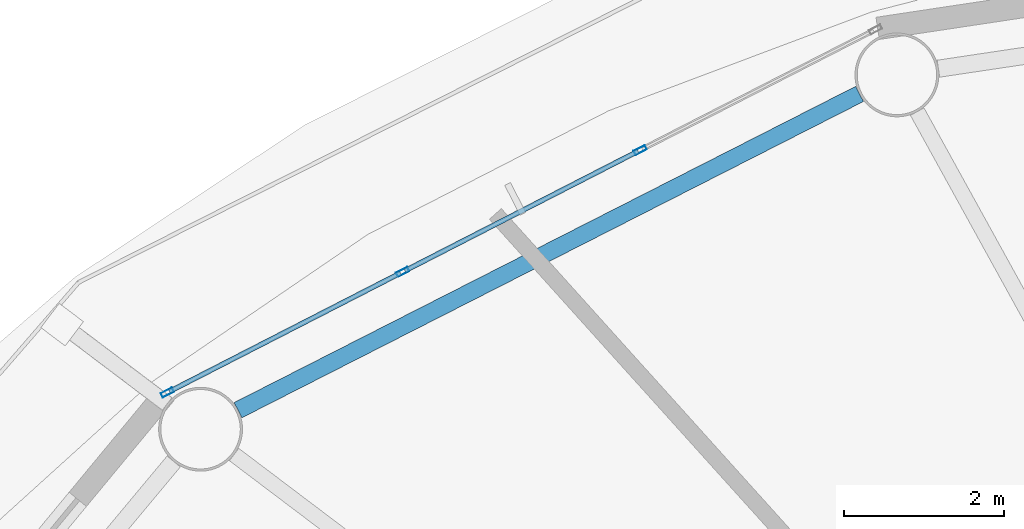
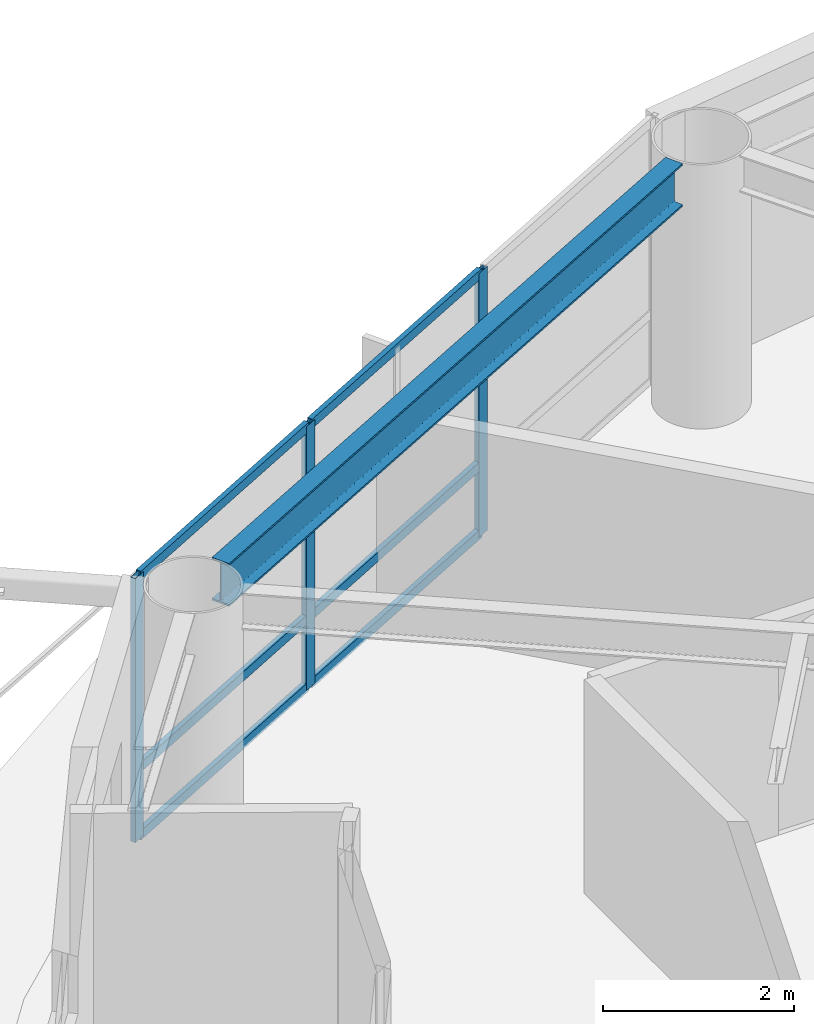
# One storey, part 11 of 30: 9 members, 1 beam, 1 element without a shape of its own.
"""IFC4 building model written with IfcOpenShell, lengths in metres."""

from ifc_helpers import new_model, si_unit, direction, frame, origin, origin_2d, place, context, subcontext, project, spatial, hollow_rectangle, i_section, extrude, material, layer, layer_set, material_profile, profile_set, type_object, element, aggregate, save


model = new_model("IFC4")

# Units and contexts
model_context = context("Model", 3, precision=1e-05, world=origin(), true_north=direction((0.0, 1.0)))
body_context = subcontext(model_context, "Body", "Model", "MODEL_VIEW")
ifc_project = project(units=[si_unit("LENGTHUNIT", "METRE"), si_unit("AREAUNIT", "SQUARE_METRE"), si_unit("VOLUMEUNIT", "CUBIC_METRE"), si_unit("PLANEANGLEUNIT", "RADIAN"), si_unit("MASSUNIT", "GRAM", prefix="KILO")], contexts=[model_context])

# Site, building, storey
site_placement = place(None, origin())
site = spatial("IfcSite", under=ifc_project, at=site_placement, CompositionType="ELEMENT")
building_placement = place(site_placement, origin())
building = spatial("IfcBuilding", under=site, at=building_placement, Name="Sarneth Arch Tower", CompositionType="ELEMENT")
storey_placement = place(building_placement, frame((0.0, 0.0, 161.39990234375)))
storey = spatial("IfcBuildingStorey", under=building, at=storey_placement, Name="L40", CompositionType="ELEMENT", Elevation=161.39990234375)

# Beam
ifc_material_1 = material(Name="Steel S355", Category="steel")
ifc_material_profile_1 = material_profile(ifc_material_1, i_section(OverallWidth=0.214111328125, OverallDepth=0.549072265625, WebThickness=0.0146484375, FlangeThickness=0.023681640625, FilletRadius=0.01806640625, at=origin_2d()), Name="W530x138")
ifc_profile_set_1 = profile_set([ifc_material_profile_1], Name="Steel S355")
beam_type = type_object("IfcBeamType", Name="BM-RAD-530A", PredefinedType="BEAM", material=ifc_profile_set_1)
beam_placement = place(storey_placement, frame((37.1103515625, 60.6552734375, 3.105712890625), z_axis=(-0.891254220899, -0.453504039374, 0.0), x_axis=(0.453504039374, -0.891254220899, 0.0)))
element("IfcBeam", 1, at=beam_placement, inside=storey, type_object=beam_type, Name="L40 Perimeter spandrel beam 06", PredefinedType="BEAM", context=body_context, shape_type="SweptSolid", body=[
    extrude(i_section(OverallWidth=0.214111328125, OverallDepth=0.549072265625, WebThickness=0.0146484375, FlangeThickness=0.023681640625, FilletRadius=0.01806640625, at=origin_2d()), origin(), (0.0, 0.0, 1.0), 8.724853515625),
])

# Curtain wall, members
ifc_material_2 = material(Name="Anodised aluminium Type AA25 and solar-control low-e laminated IGU", Category="aluminium")
ifc_layer = layer(ifc_material_2, 0.169921875)
ifc_layer_set = layer_set([ifc_layer], Name="Anodised aluminium Type AA25 and solar-control low-e laminated IGU")
curtain_wall_type = type_object("IfcCurtainWallType", Name="CW-RES-MID", PredefinedType="NOTDEFINED", material=ifc_layer_set)
curtain_wall_placement = place(storey_placement, origin())
curtain_wall = element("IfcCurtainWall", 2, at=curtain_wall_placement, inside=storey, type_object=curtain_wall_type, Name="L40 Unitised curtain wall facet 06", PredefinedType="NOTDEFINED")
ifc_material_3 = material(Name="Anodised Aluminium 6063-T6", Category="aluminium")
ifc_material_profile_2 = material_profile(ifc_material_3, hollow_rectangle(XDim=0.06005859375, YDim=0.159912109375, WallThickness=0.00390625, at=origin_2d()), Name="AL-MULL-160x60x4")
ifc_profile_set_2 = profile_set([ifc_material_profile_2], Name="Anodised Aluminium 6063-T6")
member_type_1 = type_object("IfcMemberType", Name="CW-MULLION", PredefinedType="MULLION", material=ifc_profile_set_2)
member_1_placement = place(storey_placement, frame((34.365966796875, 59.9521484375, 0.0), z_axis=(0.0, 0.0, 1.0), x_axis=(0.456208470329, -0.88987293003, 0.0)))
member_1 = element("IfcMember", 3, at=member_1_placement, type_object=member_type_1, Name="CW-SYS-5 mullion 2", PredefinedType="MULLION", context=body_context, shape_type="SweptSolid", body=[
    extrude(hollow_rectangle(XDim=0.06005859375, YDim=0.159912109375, WallThickness=0.00390625, at=origin_2d()), origin(), (0.0, 0.0, 1.0), 3.380126953125),
])
member_2_placement = place(storey_placement, frame((31.39501953125, 58.428955078125, 0.0), z_axis=(0.0, 0.0, 1.0), x_axis=(0.456208470329, -0.88987293003, 0.0)))
member_2 = element("IfcMember", 4, at=member_2_placement, type_object=member_type_1, Name="CW-SYS-5 mullion 3", PredefinedType="MULLION", context=body_context, shape_type="SweptSolid", body=[
    extrude(hollow_rectangle(XDim=0.06005859375, YDim=0.159912109375, WallThickness=0.00390625, at=origin_2d()), origin(), (0.0, 0.0, 1.0), 3.380126953125),
])
member_3_placement = place(storey_placement, frame((28.450439453125, 56.91943359375, 0.0), z_axis=(0.0, 0.0, 1.0), x_axis=(0.456208470329, -0.88987293003, 0.0)))
member_3 = element("IfcMember", 5, at=member_3_placement, type_object=member_type_1, Name="CW-SYS-5 mullion 4", PredefinedType="MULLION", context=body_context, shape_type="SweptSolid", body=[
    extrude(hollow_rectangle(XDim=0.06005859375, YDim=0.159912109375, WallThickness=0.00390625, at=origin_2d()), origin(), (0.0, 0.0, 1.0), 3.380126953125),
])
ifc_material_4 = material(Name="Anodised Aluminium 6063-T6", Category="aluminium")
ifc_material_profile_3 = material_profile(ifc_material_4, hollow_rectangle(XDim=0.06005859375, YDim=0.1201171875, WallThickness=0.00390625, at=origin_2d()), Name="AL-TRAN-120x60x4")
ifc_profile_set_3 = profile_set([ifc_material_profile_3], Name="Anodised Aluminium 6063-T6")
member_type_2 = type_object("IfcMemberType", Name="CW-TRANSOM", PredefinedType="USERDEFINED", material=ifc_profile_set_3)
member_4_placement = place(storey_placement, frame((34.33935546875, 59.9384765625, 0.030029296875), z_axis=(-0.889869396751, -0.45621536222, 0.0), x_axis=(0.45621536222, -0.889869396751, 0.0)))
member_4 = element("IfcMember", 6, at=member_4_placement, type_object=member_type_2, Name="CW-SYS-5 transom 2.1", ObjectType="TRANSOM", PredefinedType="USERDEFINED", context=body_context, shape_type="SweptSolid", body=[
    extrude(hollow_rectangle(XDim=0.06005859375, YDim=0.1201171875, WallThickness=0.00390625, at=origin_2d()), origin(), (0.0, 0.0, 1.0), 3.27880859375),
])
member_5_placement = place(storey_placement, frame((34.33935546875, 59.9384765625, 0.900146484375), z_axis=(-0.889869396751, -0.45621536222, 0.0), x_axis=(0.45621536222, -0.889869396751, 0.0)))
member_5 = element("IfcMember", 7, at=member_5_placement, type_object=member_type_2, Name="CW-SYS-5 transom 2.2", ObjectType="TRANSOM", PredefinedType="USERDEFINED", context=body_context, shape_type="SweptSolid", body=[
    extrude(hollow_rectangle(XDim=0.06005859375, YDim=0.1201171875, WallThickness=0.00390625, at=origin_2d()), origin(), (0.0, 0.0, 1.0), 3.27880859375),
])
member_6_placement = place(storey_placement, frame((34.33935546875, 59.9384765625, 3.35009765625), z_axis=(-0.889869396751, -0.45621536222, 0.0), x_axis=(0.45621536222, -0.889869396751, 0.0)))
member_6 = element("IfcMember", 8, at=member_6_placement, type_object=member_type_2, Name="CW-SYS-5 transom 2.3", ObjectType="TRANSOM", PredefinedType="USERDEFINED", context=body_context, shape_type="SweptSolid", body=[
    extrude(hollow_rectangle(XDim=0.06005859375, YDim=0.1201171875, WallThickness=0.00390625, at=origin_2d()), origin(), (0.0, 0.0, 1.0), 3.27880859375),
])
member_7_placement = place(storey_placement, frame((31.3681640625, 58.415283203125, 0.030029296875), z_axis=(-0.889857362344, -0.456238835131, 0.0), x_axis=(0.456238835131, -0.889857362344, 0.0)))
member_7 = element("IfcMember", 9, at=member_7_placement, type_object=member_type_2, Name="CW-SYS-5 transom 3.1", ObjectType="TRANSOM", PredefinedType="USERDEFINED", context=body_context, shape_type="SweptSolid", body=[
    extrude(hollow_rectangle(XDim=0.06005859375, YDim=0.1201171875, WallThickness=0.00390625, at=origin_2d()), origin(), (0.0, 0.0, 1.0), 3.248779296875),
])
member_8_placement = place(storey_placement, frame((31.3681640625, 58.415283203125, 0.900146484375), z_axis=(-0.889857362344, -0.456238835131, 0.0), x_axis=(0.456238835131, -0.889857362344, 0.0)))
member_8 = element("IfcMember", 10, at=member_8_placement, type_object=member_type_2, Name="CW-SYS-5 transom 3.2", ObjectType="TRANSOM", PredefinedType="USERDEFINED", context=body_context, shape_type="SweptSolid", body=[
    extrude(hollow_rectangle(XDim=0.06005859375, YDim=0.1201171875, WallThickness=0.00390625, at=origin_2d()), origin(), (0.0, 0.0, 1.0), 3.248779296875),
])
member_9_placement = place(storey_placement, frame((31.3681640625, 58.415283203125, 3.35009765625), z_axis=(-0.889857362344, -0.456238835131, 0.0), x_axis=(0.456238835131, -0.889857362344, 0.0)))
member_9 = element("IfcMember", 11, at=member_9_placement, type_object=member_type_2, Name="CW-SYS-5 transom 3.3", ObjectType="TRANSOM", PredefinedType="USERDEFINED", context=body_context, shape_type="SweptSolid", body=[
    extrude(hollow_rectangle(XDim=0.06005859375, YDim=0.1201171875, WallThickness=0.00390625, at=origin_2d()), origin(), (0.0, 0.0, 1.0), 3.248779296875),
])
aggregate(curtain_wall, [member_1, member_2, member_3, member_4, member_5, member_6, member_7, member_8, member_9])

save(model, "model.ifc")
